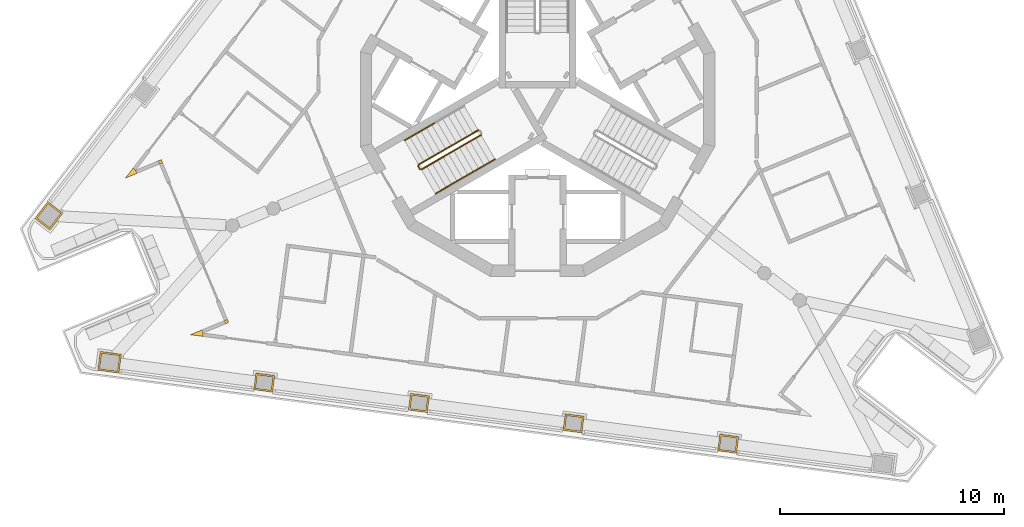
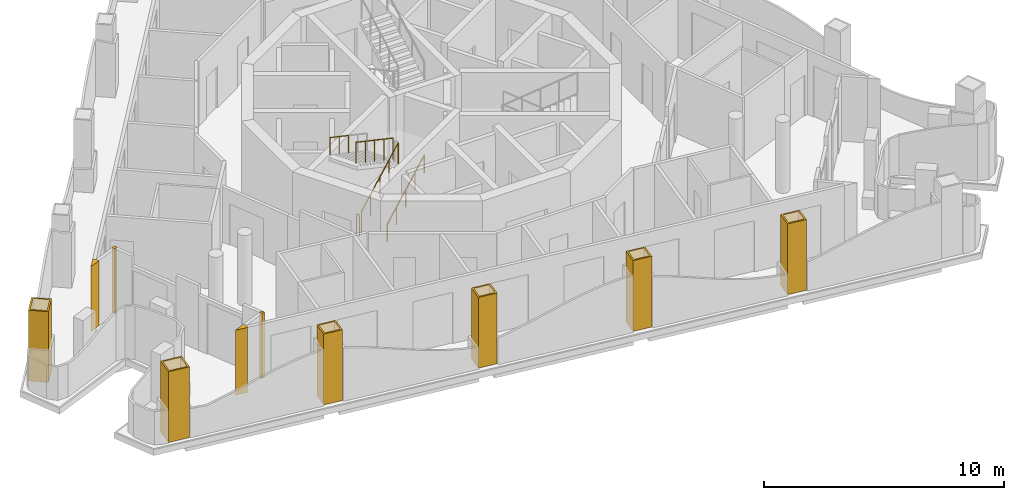
# One storey, part 7 of 12: 10 coverings, 6 railings.
"""IFC4 building model written with IfcOpenShell, lengths in metres."""

from ifc_helpers import new_model, si_unit, direction, frame, origin, origin_2d, place, context, subcontext, project, spatial, polyline, circle, outline, extrude, material, layer, layer_set, type_object, element, save


model = new_model("IFC4")

# Units and contexts
model_context = context("Model", 3, precision=1e-05, world=origin(), true_north=direction((0.0, 1.0)))
body_context = subcontext(model_context, "Body", "Model", "MODEL_VIEW")
ifc_project = project(units=[si_unit("LENGTHUNIT", "METRE"), si_unit("AREAUNIT", "SQUARE_METRE"), si_unit("VOLUMEUNIT", "CUBIC_METRE"), si_unit("PLANEANGLEUNIT", "RADIAN"), si_unit("MASSUNIT", "GRAM", prefix="KILO")], contexts=[model_context])

# Site, building, storey
site_placement = place(None, origin())
site = spatial("IfcSite", under=ifc_project, at=site_placement, CompositionType="ELEMENT")
building_placement = place(site_placement, origin())
building = spatial("IfcBuilding", under=site, at=building_placement, Name="Trine Commons Tower", CompositionType="ELEMENT")
storey_placement = place(building_placement, frame((0.0, 0.0, 275.39990234375)))
storey = spatial("IfcBuildingStorey", under=building, at=storey_placement, Name="L72", CompositionType="ELEMENT", Elevation=275.39990234375)

# Coverings
ifc_material_1 = material(Name="Aluminium-framed insulated wall panel", Category="aluminium")
ifc_layer_1 = layer(ifc_material_1, 0.14990234375)
ifc_layer_set_1 = layer_set([ifc_layer_1], Name="Aluminium-framed insulated wall panel")
covering_type_1 = type_object("IfcCoveringType", Name="Glazing corner post, aluminium", PredefinedType="CLADDING", material=ifc_layer_set_1)
covering_1_placement = place(storey_placement, origin())
element("IfcCovering", 1, at=covering_1_placement, inside=storey, type_object=covering_type_1, Name="Glazing corner post 8-01", PredefinedType="CLADDING", context=body_context, shape_type="SweptSolid", body=[
    extrude(outline(polyline([(62.0380859375, 59.324462890625), (61.919189453125, 59.416015625), (61.578369140625, 58.9716796875), (62.095458984375, 59.18603515625), (62.0380859375, 59.324462890625), (62.0380859375, 59.324462890625)])), origin(), (0.0, 0.0, 1.0), 3.300048828125),
])
covering_2_placement = place(storey_placement, origin())
element("IfcCovering", 2, at=covering_2_placement, inside=storey, type_object=covering_type_1, Name="Glazing corner post 8-10", PredefinedType="CLADDING", context=body_context, shape_type="SweptSolid", body=[
    extrude(outline(polyline([(65.033935546875, 51.895751953125), (65.0537109375, 52.04443359375), (64.99609375, 52.18310546875), (64.47900390625, 51.96875), (65.033935546875, 51.895751953125)])), origin(), (0.0, 0.0, 1.0), 3.300048828125),
])
covering_3_placement = place(storey_placement, origin())
element("IfcCovering", 3, at=covering_3_placement, inside=storey, type_object=covering_type_1, Name="Glazing corner post 8-11", PredefinedType="CLADDING", context=body_context, shape_type="SweptSolid", body=[
    extrude(outline(polyline([(66.056640625, 52.4599609375), (66.1953125, 52.517333984375), (66.137939453125, 52.65576171875), (65.999267578125, 52.598388671875), (66.056640625, 52.4599609375)])), origin(), (0.0, 0.0, 1.0), 3.300048828125),
])
covering_4_placement = place(storey_placement, origin())
element("IfcCovering", 4, at=covering_4_placement, inside=storey, type_object=covering_type_1, Name="Glazing corner post 8-12", PredefinedType="CLADDING", context=body_context, shape_type="SweptSolid", body=[
    extrude(outline(polyline([(63.041015625, 59.739990234375), (63.098388671875, 59.601318359375), (63.237060546875, 59.658935546875), (63.1796875, 59.79736328125), (63.041015625, 59.739990234375)])), origin(), (0.0, 0.0, 1.0), 3.300048828125),
])
ifc_material_2 = material(Name="Limestone, honed", Category="masonry")
ifc_layer_2 = layer(ifc_material_2, 0.074951171875)
ifc_layer_set_2 = layer_set([ifc_layer_2], Name="Limestone, honed")
covering_type_2 = type_object("IfcCoveringType", Name="Limestone column cladding 75", PredefinedType="CLADDING", material=ifc_layer_set_2)
covering_5_placement = place(storey_placement, origin())
element("IfcCovering", 5, at=covering_5_placement, inside=storey, type_object=covering_type_2, Name="Limestone pier cladding 8-02", PredefinedType="CLADDING", context=body_context, shape_type="SweptSolid", body=[
    extrude(outline(polyline([(88.1494140625, 47.526123046875), (88.051513671875, 46.78271484375), (88.89404296875, 46.671630859375), (88.991943359375, 47.415283203125), (88.1494140625, 47.526123046875)]), holes=[polyline([(88.2138671875, 47.44189453125), (88.135498046875, 46.84716796875), (88.82958984375, 46.755859375), (88.907958984375, 47.3505859375), (88.2138671875, 47.44189453125)])]), origin(), (0.0, 0.0, 1.0), 3.60009765625),
])
covering_6_placement = place(storey_placement, origin())
element("IfcCovering", 6, at=covering_6_placement, inside=storey, type_object=covering_type_2, Name="Limestone pier cladding 8-03", PredefinedType="CLADDING", context=body_context, shape_type="SweptSolid", body=[
    extrude(outline(polyline([(81.236328125, 48.436279296875), (81.138427734375, 47.692626953125), (81.981201171875, 47.581787109375), (82.0791015625, 48.3251953125), (81.236328125, 48.436279296875)]), holes=[polyline([(81.30078125, 48.35205078125), (81.222412109375, 47.75732421875), (81.91650390625, 47.666015625), (81.994873046875, 48.2607421875), (81.30078125, 48.35205078125)])]), origin(), (0.0, 0.0, 1.0), 3.60009765625),
])
covering_7_placement = place(storey_placement, origin())
element("IfcCovering", 7, at=covering_7_placement, inside=storey, type_object=covering_type_2, Name="Limestone pier cladding 8-04", PredefinedType="CLADDING", context=body_context, shape_type="SweptSolid", body=[
    extrude(outline(polyline([(74.3232421875, 49.346435546875), (74.225341796875, 48.602783203125), (75.068115234375, 48.49169921875), (75.166015625, 49.2353515625), (74.3232421875, 49.346435546875)]), holes=[polyline([(74.3876953125, 49.26220703125), (74.309326171875, 48.66748046875), (75.00341796875, 48.575927734375), (75.081787109375, 49.1708984375), (74.3876953125, 49.26220703125)])]), origin(), (0.0, 0.0, 1.0), 3.60009765625),
])
covering_8_placement = place(storey_placement, origin())
element("IfcCovering", 8, at=covering_8_placement, inside=storey, type_object=covering_type_2, Name="Limestone pier cladding 8-05", PredefinedType="CLADDING", context=body_context, shape_type="SweptSolid", body=[
    extrude(outline(polyline([(67.41015625, 50.256591796875), (67.312255859375, 49.512939453125), (68.15478515625, 49.40185546875), (68.252685546875, 50.1455078125), (67.41015625, 50.256591796875)]), holes=[polyline([(67.474609375, 50.17236328125), (67.396240234375, 49.577392578125), (68.09033203125, 49.486083984375), (68.168701171875, 50.080810546875), (67.474609375, 50.17236328125)])]), origin(), (0.0, 0.0, 1.0), 3.60009765625),
])
covering_9_placement = place(storey_placement, origin())
element("IfcCovering", 9, at=covering_9_placement, inside=storey, type_object=covering_type_2, Name="Limestone pier cladding 8-06", PredefinedType="CLADDING", context=body_context, shape_type="SweptSolid", body=[
    extrude(outline(polyline([(60.4541015625, 51.22265625), (60.343017578125, 50.3798828125), (61.284912109375, 50.255859375), (61.39599609375, 51.0986328125), (60.4541015625, 51.22265625)]), holes=[polyline([(60.5185546875, 51.138427734375), (60.42724609375, 50.444580078125), (61.220458984375, 50.340087890625), (61.311767578125, 51.0341796875), (60.5185546875, 51.138427734375)])]), origin(), (0.0, 0.0, 1.0), 3.60009765625),
])
covering_10_placement = place(storey_placement, origin())
element("IfcCovering", 10, at=covering_10_placement, inside=storey, type_object=covering_type_2, Name="Limestone pier cladding 8-07", PredefinedType="CLADDING", context=body_context, shape_type="SweptSolid", body=[
    extrude(outline(polyline([(58.782958984375, 57.40673828125), (58.108642578125, 57.92431640625), (57.5302734375, 57.170654296875), (58.20458984375, 56.653076171875), (58.782958984375, 57.40673828125)]), holes=[polyline([(58.677734375, 57.39306640625), (58.122314453125, 57.819091796875), (57.635498046875, 57.184326171875), (58.19091796875, 56.75830078125), (58.677734375, 57.39306640625)])]), origin(), (0.0, 0.0, 1.0), 3.60009765625),
])

# Railings
ifc_material_3 = material(Name="Stainless steel balustrade", Category="steel")
railing_type_1 = type_object("IfcRailingType", Name="Stair guard, steel balustrade 1100", PredefinedType="GUARDRAIL", material=ifc_material_3)
railing_1_placement = place(storey_placement, frame((74.80517578125, 59.3564453125, 0.150146484375)))
element("IfcRailing", 11, at=railing_1_placement, inside=storey, type_object=railing_type_1, Name="L72 ST2D stair guard 1", PredefinedType="GUARDRAIL", context=body_context, shape_type="SweptSolid", body=[
    extrude(circle(Radius=0.02392578125, at=origin_2d()), frame((0.0, 0.0, 1.076171875), z_axis=(0.76340495495, 0.440743040072, 0.472184759798), x_axis=(-0.499992328818, 0.866029832698, 0.0)), (0.0, 0.0, 1.0), 3.494140625),
    extrude(circle(Radius=0.02099609375, at=origin_2d()), origin(), (0.0, 0.0, 1.0), 1.052001953125),
    extrude(circle(Radius=0.02099609375, at=origin_2d()), frame((0.6669921875, 0.385009765625, 0.41259765625)), (0.0, 0.0, 1.0), 1.052001953125),
    extrude(circle(Radius=0.02099609375, at=origin_2d()), frame((1.333740234375, 0.77001953125, 0.824951171875)), (0.0, 0.0, 1.0), 1.052001953125),
    extrude(circle(Radius=0.02099609375, at=origin_2d()), frame((2.00048828125, 1.155029296875, 1.2373046875)), (0.0, 0.0, 1.0), 1.052001953125),
    extrude(circle(Radius=0.02099609375, at=origin_2d()), frame((2.66748046875, 1.5400390625, 1.64990234375)), (0.0, 0.0, 1.0), 1.052001953125),
])
railing_2_placement = place(storey_placement, frame((77.34765625, 61.113037109375, 1.9501953125)))
element("IfcRailing", 12, at=railing_2_placement, inside=storey, type_object=railing_type_1, Name="L72 ST2D stair guard 3", PredefinedType="GUARDRAIL", context=body_context, shape_type="SweptSolid", body=[
    extrude(circle(Radius=0.02392578125, at=origin_2d()), frame((0.0, 0.0, 1.076171875), z_axis=(-0.76340495495, -0.440743040072, 0.472184759798), x_axis=(0.499992328818, -0.866029832698, 0.0)), (0.0, 0.0, 1.0), 3.494140625),
    extrude(circle(Radius=0.02099609375, at=origin_2d()), origin(), (0.0, 0.0, 1.0), 1.052001953125),
    extrude(circle(Radius=0.02099609375, at=origin_2d()), frame((-0.6669921875, -0.385009765625, 0.41259765625)), (0.0, 0.0, 1.0), 1.052001953125),
    extrude(circle(Radius=0.02099609375, at=origin_2d()), frame((-1.333740234375, -0.77001953125, 0.824951171875)), (0.0, 0.0, 1.0), 1.052001953125),
    extrude(circle(Radius=0.02099609375, at=origin_2d()), frame((-2.00048828125, -1.155029296875, 1.2373046875)), (0.0, 0.0, 1.0), 1.052001953125),
    extrude(circle(Radius=0.02099609375, at=origin_2d()), frame((-2.66748046875, -1.5400390625, 1.64990234375)), (0.0, 0.0, 1.0), 1.052001953125),
])
railing_3_placement = place(storey_placement, frame((74.73681640625, 59.374755859375, 0.0)))
element("IfcRailing", 13, at=railing_3_placement, inside=storey, type_object=railing_type_1, Name="L72 ST2D stair guard 4", PredefinedType="GUARDRAIL", context=body_context, shape_type="SweptSolid", body=[
    extrude(circle(Radius=0.02392578125, at=origin_2d()), frame((0.0, 0.0, 1.076171875), z_axis=(-0.499816412211, 0.866131372301, 0.0), x_axis=(-0.866131372301, -0.499816412211, 0.0)), (0.0, 0.0, 1.0), 0.14990234375),
    extrude(circle(Radius=0.02099609375, at=origin_2d()), origin(), (0.0, 0.0, 1.0), 1.052001953125),
    extrude(circle(Radius=0.02099609375, at=origin_2d()), frame((-0.074951171875, 0.1298828125, 0.0)), (0.0, 0.0, 1.0), 1.052001953125),
])
ifc_material_4 = material(Name="Stainless steel handrail", Category="steel")
railing_type_2 = type_object("IfcRailingType", Name="Stair handrail, steel 900", PredefinedType="HANDRAIL", material=ifc_material_4)
for number, where, name in (
    (14, (75.43017578125, 58.27392578125, 0.150146484375), "L72 ST2D stair handrail 1"),
    (15, (76.763916015625, 59.0439453125, 0.97509765625), "L72 ST2D stair handrail 2"),
):
    element("IfcRailing", number, at=place(storey_placement, frame(where)), inside=storey, type_object=railing_type_2, Name=name, PredefinedType="HANDRAIL", context=body_context, shape_type="SweptSolid", body=[
        extrude(circle(Radius=0.02099609375, at=origin_2d()), frame((0.0, 0.0, 0.87890625), z_axis=(0.76340495495, 0.440743040072, 0.472184759798), x_axis=(-0.499992328818, 0.866029832698, 0.0)), (0.0, 0.0, 1.0), 1.7470703125),
        extrude(circle(Radius=0.01513671875, at=origin_2d()), origin(), (0.0, 0.0, 1.0), 0.85791015625),
        extrude(circle(Radius=0.01513671875, at=origin_2d()), frame((0.6669921875, 0.385009765625, 0.41259765625)), (0.0, 0.0, 1.0), 0.85791015625),
        extrude(circle(Radius=0.01513671875, at=origin_2d()), frame((1.333740234375, 0.77001953125, 0.824951171875)), (0.0, 0.0, 1.0), 0.85791015625),
    ])
railing_4_placement = place(storey_placement, frame((75.388916015625, 61.425537109375, 2.775146484375)))
element("IfcRailing", 16, at=railing_4_placement, inside=storey, type_object=railing_type_2, Name="L72 ST2D stair handrail 4", PredefinedType="HANDRAIL", context=body_context, shape_type="SweptSolid", body=[
    extrude(circle(Radius=0.02099609375, at=origin_2d()), frame((0.0, 0.0, 0.87890625), z_axis=(-0.76340495495, -0.440743040072, 0.472184759798), x_axis=(0.499992328818, -0.866029832698, 0.0)), (0.0, 0.0, 1.0), 1.7470703125),
    extrude(circle(Radius=0.01513671875, at=origin_2d()), origin(), (0.0, 0.0, 1.0), 0.85791015625),
    extrude(circle(Radius=0.01513671875, at=origin_2d()), frame((-0.6669921875, -0.385009765625, 0.41259765625)), (0.0, 0.0, 1.0), 0.85791015625),
    extrude(circle(Radius=0.01513671875, at=origin_2d()), frame((-1.333740234375, -0.77001953125, 0.824951171875)), (0.0, 0.0, 1.0), 0.85791015625),
])

save(model, "model.ifc")
